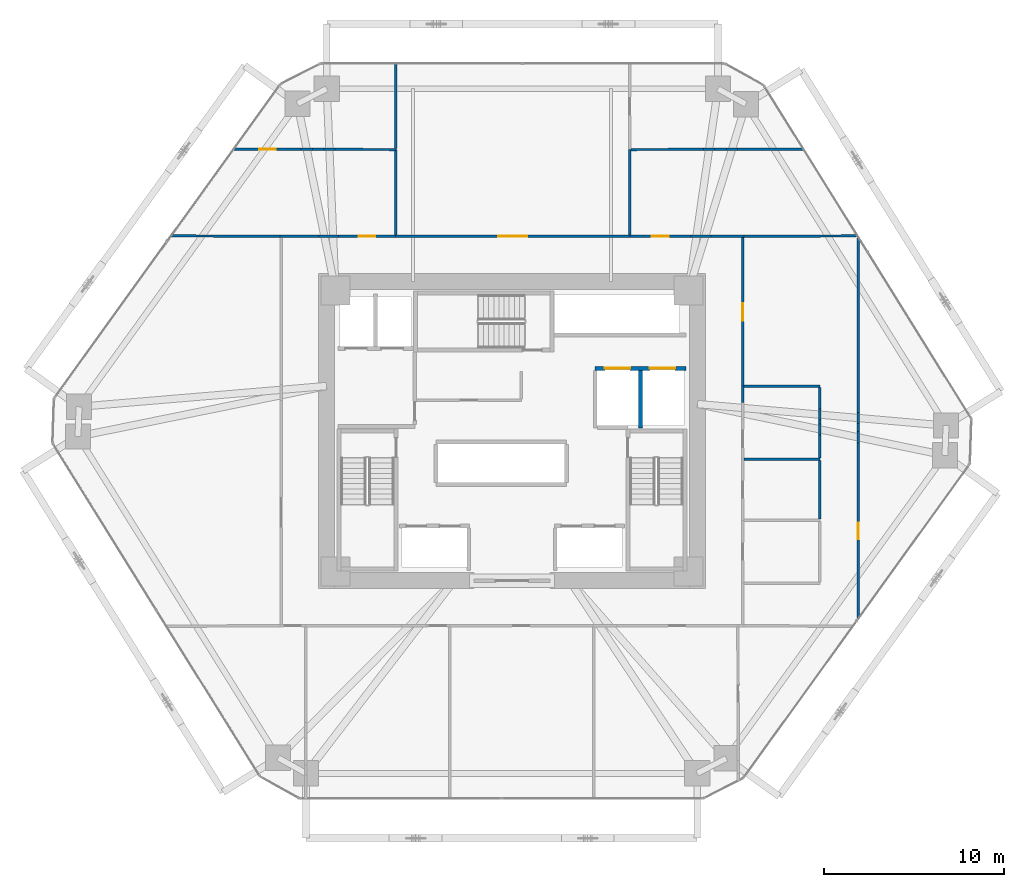
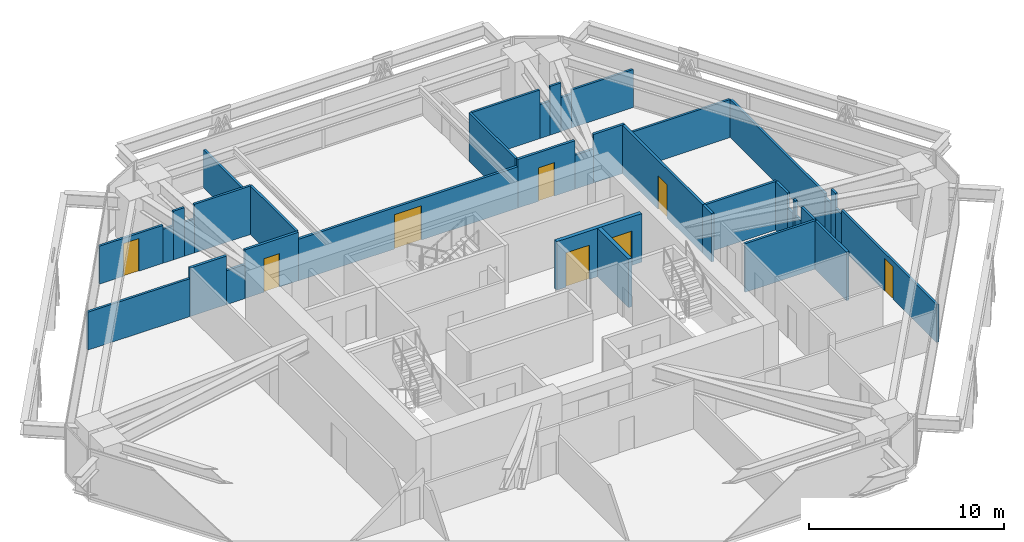
# One storey, part 15 of 17: 39 walls, 8 doors, 8 openings.
"""IFC4 building model written with IfcOpenShell, lengths in metres."""

from ifc_helpers import new_model, si_unit, direction, frame, frame_2d, origin, place, context, subcontext, project, spatial, rectangle, extrude, source, transform, mapped, material, layer, layer_set, type_object, type_shapes, element, fill, save


model = new_model("IFC4")

# Units and contexts
model_context = context("Model", 3, precision=1e-05, world=origin(), true_north=direction((0.0, 1.0)))
body_context = subcontext(model_context, "Body", "Model", "MODEL_VIEW")
ifc_project = project(units=[si_unit("LENGTHUNIT", "METRE"), si_unit("AREAUNIT", "SQUARE_METRE"), si_unit("VOLUMEUNIT", "CUBIC_METRE"), si_unit("PLANEANGLEUNIT", "RADIAN"), si_unit("MASSUNIT", "GRAM", prefix="KILO")], contexts=[model_context])

# Site, building, storey
site_placement = place(None, origin())
site = spatial("IfcSite", under=ifc_project, at=site_placement, CompositionType="ELEMENT")
building_placement = place(site_placement, origin())
building = spatial("IfcBuilding", under=site, at=building_placement, Name="Durnholm Broadcast Tower", CompositionType="ELEMENT")
storey_placement = place(building_placement, frame((0.0, 0.0, 58.800048828125)))
storey = spatial("IfcBuildingStorey", under=building, at=storey_placement, Name="L14", CompositionType="ELEMENT", Elevation=58.800048828125)

# Wall, opening, door
ifc_material_1 = material(Name="Gypsum Metal Stud Partition", Category="concrete")
ifc_layer_1 = layer(ifc_material_1, 0.135009765625)
ifc_layer_set_1 = layer_set([ifc_layer_1], Name="Gypsum Metal Stud Partition")
wall_type_1 = type_object("IfcWallType", Name="WALL-PART-135", PredefinedType="PARTITIONING", material=ifc_layer_set_1)
wall_1_placement = place(storey_placement, frame((-15.4501953125, 15.6484375, 0.0), z_axis=(0.0, 0.0, 1.0), x_axis=(0.999996606967, -0.002605005814, 0.0)))
wall_1 = element("IfcWall", 1, at=wall_1_placement, inside=storey, type_object=wall_type_1, Name="L14 room dividing partition 5.6", PredefinedType="PARTITIONING", context=body_context, shape_type="SweptSolid", body=[
    extrude(rectangle(XDim=3.748779296875, YDim=0.135009765625, at=frame_2d((1.87451171875, 0.0))), origin(), (0.0, 0.0, 1.0), 2.3798828125),
])
opening_1_placement = place(wall_1_placement, frame((1.424560546875, 0.0, 0.0)))
opening_1 = element("IfcOpeningElement", 2, at=opening_1_placement, cuts=wall_1, Name="Opening DW-90L", PredefinedType="OPENING", context=body_context, shape_type="SweptSolid", body=[
    extrude(rectangle(XDim=0.89990234375, YDim=2.050048828125, at=frame_2d((0.449951171875, 1.02490234375))), frame((0.0, 0.07763671875, 0.0), z_axis=(0.0, -1.0, 0.0), x_axis=(1.0, 0.0, 0.0)), (0.0, 0.0, 1.0), 0.155029296875),
])
ifc_material_2 = material(Name="Laminate Restroom Door", Category="steel")
ifc_layer_2 = layer(ifc_material_2, 0.050048828125)
ifc_layer_set_2 = layer_set([ifc_layer_2], Name="Laminate Restroom Door")
door_type_1 = type_object("IfcDoorType", Name="DOOR-WC-900L", OperationType="NOTDEFINED", PredefinedType="DOOR", material=ifc_layer_set_2)
shared_shape_1 = source(origin(), body_context, "Body", "SweptSolid", [
    extrude(rectangle(XDim=0.89990234375, YDim=2.050048828125, at=frame_2d((0.449951171875, 1.02490234375))), frame((0.0, 0.02490234375, 0.0), z_axis=(0.0, -1.0, 0.0), x_axis=(1.0, 0.0, 0.0)), (0.0, 0.0, 1.0), 0.050048828125),
])
type_shapes(door_type_1, [shared_shape_1])
door_1_placement = place(opening_1_placement, origin())
door_1 = element("IfcDoor", 3, at=door_1_placement, inside=storey, type_object=door_type_1, Name="L14 Open Plan Broadcast Workspace 3 connecting door", OperationType="SINGLE_SWING_LEFT", OverallHeight=2.050048828125, OverallWidth=0.89990234375, PredefinedType="DOOR", context=body_context, shape_type="MappedRepresentation", body=[
    mapped(shared_shape_1, transform((0.0, 0.0, 0.0), x_axis=(1.0, 0.0, 0.0), y_axis=(0.0, 1.0, 0.0), z_axis=(0.0, 0.0, 1.0), scale=1.0)),
])
fill(opening_1, door_1)

# Walls
wall_2_placement = place(storey_placement, frame((-11.084716796875, 15.636962890625, 0.0), z_axis=(0.0, 0.0, 1.0), x_axis=(0.999997419321, -0.002271860854, 0.0)))
element("IfcWall", 4, at=wall_2_placement, inside=storey, type_object=wall_type_1, Name="L14 room dividing partition 5.6", PredefinedType="PARTITIONING", context=body_context, shape_type="SweptSolid", body=[
    extrude(rectangle(XDim=0.644775390625, YDim=0.135009765625, at=frame_2d((0.322265625, 0.0))), origin(), (0.0, 0.0, 1.0), 3.044921875),
])
wall_3_placement = place(storey_placement, frame((-9.83544921875, 15.6337890625, 0.0), z_axis=(0.0, 0.0, 1.0), x_axis=(0.999996610156, -0.002603781135, 0.0)))
element("IfcWall", 5, at=wall_3_placement, inside=storey, type_object=wall_type_1, Name="L14 room dividing partition 5.6", PredefinedType="PARTITIONING", context=body_context, shape_type="SweptSolid", body=[
    extrude(rectangle(XDim=3.37548828125, YDim=0.135009765625, at=frame_2d((1.687744140625, 0.0))), origin(), (0.0, 0.0, 1.0), 3.044921875),
])
wall_4_placement = place(storey_placement, frame((-11.701416015625, 15.638671875, 0.0), z_axis=(0.0, 0.0, 1.0), x_axis=(0.999996160304, -0.00277116909, 0.0)))
element("IfcWall", 6, at=wall_4_placement, inside=storey, type_object=wall_type_1, Name="L14 room dividing partition 5.6", PredefinedType="PARTITIONING", context=body_context, shape_type="SweptSolid", body=[
    extrude(rectangle(XDim=0.61669921875, YDim=0.135009765625, at=frame_2d((0.308349609375, 0.0))), origin(), (0.0, 0.0, 1.0), 2.130126953125),
])
wall_5_placement = place(storey_placement, frame((-10.43994140625, 15.635498046875, 0.0), z_axis=(0.0, 0.0, 1.0), x_axis=(0.999996003662, -0.002827129251, 0.0)))
element("IfcWall", 7, at=wall_5_placement, inside=storey, type_object=wall_type_1, Name="L14 room dividing partition 5.6", PredefinedType="PARTITIONING", context=body_context, shape_type="SweptSolid", body=[
    extrude(rectangle(XDim=0.6044921875, YDim=0.135009765625, at=frame_2d((0.30224609375, 0.0))), origin(), (0.0, 0.0, 1.0), 2.130126953125),
])
wall_6_placement = place(storey_placement, frame((-6.4599609375, 15.625, 0.0), z_axis=(0.0, 0.0, 1.0), x_axis=(0.0, -1.0, 0.0)))
element("IfcWall", 8, at=wall_6_placement, inside=storey, type_object=wall_type_1, Name="L14 room dividing partition 5.7", PredefinedType="PARTITIONING", context=body_context, shape_type="SweptSolid", body=[
    extrude(rectangle(XDim=4.736083984375, YDim=0.135009765625, at=frame_2d((2.3681640625, 0.0))), origin(), (0.0, 0.0, 1.0), 3.044921875),
])
wall_7_placement = place(storey_placement, frame((-12.889892578125, 10.810302734375, 0.0), z_axis=(0.0, 0.0, 1.0), x_axis=(-0.999992607823, 0.003845035728, 0.0)))
element("IfcWall", 9, at=wall_7_placement, inside=storey, type_object=wall_type_1, Name="L14 room dividing partition 5.15", PredefinedType="PARTITIONING", context=body_context, shape_type="SweptSolid", body=[
    extrude(rectangle(XDim=6.031982421875, YDim=0.135009765625, at=frame_2d((3.01611328125, 0.0))), origin(), (0.0, 0.0, 1.0), 2.3798828125),
])
wall_8_placement = place(storey_placement, frame((-6.4599609375, 20.39990234375, 0.0), z_axis=(0.0, 0.0, 1.0), x_axis=(0.0, -1.0, 0.0)))
element("IfcWall", 10, at=wall_8_placement, inside=storey, type_object=wall_type_1, Name="L14 room dividing partition 6.7", PredefinedType="PARTITIONING", context=body_context, shape_type="SweptSolid", body=[
    extrude(rectangle(XDim=4.703369140625, YDim=0.135009765625, at=frame_2d((2.3515625, 0.0))), origin(), (0.0, 0.0, 1.0), 2.3798828125),
])
wall_9_placement = place(storey_placement, frame((6.5400390625, 15.625, 0.0), z_axis=(0.0, 0.0, 1.0), x_axis=(0.0, -1.0, 0.0)))
element("IfcWall", 11, at=wall_9_placement, inside=storey, type_object=wall_type_1, Name="L14 room dividing partition 7.8", PredefinedType="PARTITIONING", context=body_context, shape_type="SweptSolid", body=[
    extrude(rectangle(XDim=4.736083984375, YDim=0.135009765625, at=frame_2d((2.3681640625, 0.0))), origin(), (0.0, 0.0, 1.0), 3.044921875),
])
wall_10_placement = place(storey_placement, frame((6.611572265625, 15.625244140625, 0.0), z_axis=(0.0, 0.0, 1.0), x_axis=(0.999997614931, 0.002184063225, 0.0)))
element("IfcWall", 12, at=wall_10_placement, inside=storey, type_object=wall_type_1, Name="L14 room dividing partition 8.9", PredefinedType="PARTITIONING", context=body_context, shape_type="SweptSolid", body=[
    extrude(rectangle(XDim=4.024169921875, YDim=0.135009765625, at=frame_2d((2.01220703125, 0.0))), origin(), (0.0, 0.0, 1.0), 3.044921875),
])
wall_11_placement = place(storey_placement, frame((11.246337890625, 15.635498046875, 0.0), z_axis=(0.0, 0.0, 1.0), x_axis=(0.999998237348, 0.001877578365, 0.0)))
element("IfcWall", 13, at=wall_11_placement, inside=storey, type_object=wall_type_1, Name="L14 room dividing partition 8.9", PredefinedType="PARTITIONING", context=body_context, shape_type="SweptSolid", body=[
    extrude(rectangle(XDim=0.650146484375, YDim=0.135009765625, at=frame_2d((0.3251953125, 0.0))), origin(), (0.0, 0.0, 1.0), 3.044921875),
])
wall_12_placement = place(storey_placement, frame((12.529052734375, 15.63818359375, 0.0), z_axis=(0.0, 0.0, 1.0), x_axis=(0.999997715323, 0.002137603667, 0.0)))
element("IfcWall", 14, at=wall_12_placement, inside=storey, type_object=wall_type_1, Name="L14 room dividing partition 8.9", PredefinedType="PARTITIONING", context=body_context, shape_type="SweptSolid", body=[
    extrude(rectangle(XDim=3.65478515625, YDim=0.135009765625, at=frame_2d((1.827392578125, 0.0))), origin(), (0.0, 0.0, 1.0), 2.3798828125),
])
wall_13_placement = place(storey_placement, frame((10.6357421875, 15.634033203125, 0.0), z_axis=(0.0, 0.0, 1.0), x_axis=(0.999997122315, 0.00239903348, 0.0)))
element("IfcWall", 15, at=wall_13_placement, inside=storey, type_object=wall_type_1, Name="L14 room dividing partition 8.9", PredefinedType="PARTITIONING", context=body_context, shape_type="SweptSolid", body=[
    extrude(rectangle(XDim=0.610595703125, YDim=0.135009765625, at=frame_2d((0.30517578125, 0.0))), origin(), (0.0, 0.0, 1.0), 2.130126953125),
])
wall_14_placement = place(storey_placement, frame((11.896484375, 15.63671875, 0.0), z_axis=(0.0, 0.0, 1.0), x_axis=(0.999997318759, 0.002315702012, 0.0)))
element("IfcWall", 16, at=wall_14_placement, inside=storey, type_object=wall_type_1, Name="L14 room dividing partition 8.9", PredefinedType="PARTITIONING", context=body_context, shape_type="SweptSolid", body=[
    extrude(rectangle(XDim=0.632568359375, YDim=0.135009765625, at=frame_2d((0.31640625, 0.0))), origin(), (0.0, 0.0, 1.0), 2.130126953125),
])
wall_15_placement = place(storey_placement, frame((19.18212890625, 10.831298828125, 0.0), z_axis=(0.0, 0.0, 1.0), x_axis=(-0.999994432845, -0.003336806783, 0.0)))
element("IfcWall", 17, at=wall_15_placement, inside=storey, type_object=wall_type_1, Name="L14 room dividing partition 8.16", PredefinedType="PARTITIONING", context=body_context, shape_type="SweptSolid", body=[
    extrude(rectangle(XDim=6.292236328125, YDim=0.135009765625, at=frame_2d((3.14599609375, 0.0))), origin(), (0.0, 0.0, 1.0), 2.3798828125),
])
wall_16_placement = place(storey_placement, frame((19.2109375, 10.784912109375, 0.0), z_axis=(0.0, 0.0, 1.0), x_axis=(-7.5063804e-05, -0.999999997183, 0.0)))
element("IfcWall", 18, at=wall_16_placement, inside=storey, type_object=wall_type_1, Name="L14 room dividing partition 16.17", PredefinedType="PARTITIONING", context=body_context, shape_type="SweptSolid", body=[
    extrude(rectangle(XDim=9.75732421875, YDim=0.135009765625, at=frame_2d((4.878662109375, 0.0))), origin(), (0.0, 0.0, 1.0), 2.3798828125),
])
wall_17_placement = place(storey_placement, frame((19.210205078125, 0.42138671875, 0.0), z_axis=(0.0, 0.0, 1.0), x_axis=(0.0, -1.0, 0.0)))
element("IfcWall", 19, at=wall_17_placement, inside=storey, type_object=wall_type_1, Name="L14 room dividing partition 16.17", PredefinedType="PARTITIONING", context=body_context, shape_type="SweptSolid", body=[
    extrude(rectangle(XDim=0.460205078125, YDim=0.135009765625, at=frame_2d((0.22998046875, 0.0))), origin(), (0.0, 0.0, 1.0), 3.044921875),
])

# Wall, opening, door
wall_18_placement = place(storey_placement, frame((19.210205078125, -0.655517578125, 0.0), z_axis=(0.0, 0.0, 1.0), x_axis=(-7.4898886e-05, -0.999999997195, 0.0)))
wall_18 = element("IfcWall", 20, at=wall_18_placement, inside=storey, type_object=wall_type_1, Name="L14 room dividing partition 16.17", PredefinedType="PARTITIONING", context=body_context, shape_type="SweptSolid", body=[
    extrude(rectangle(XDim=9.77880859375, YDim=0.135009765625, at=frame_2d((4.889404296875, 0.0))), origin(), (0.0, 0.0, 1.0), 2.3798828125),
])
opening_2_placement = place(wall_18_placement, frame((4.439453125, 0.0, 0.0)))
opening_2 = element("IfcOpeningElement", 21, at=opening_2_placement, cuts=wall_18, Name="Opening DW-90L", PredefinedType="OPENING", context=body_context, shape_type="SweptSolid", body=[
    extrude(rectangle(XDim=0.89990234375, YDim=2.050048828125, at=frame_2d((0.449951171875, 1.02490234375))), frame((0.0, 0.07763671875, 0.0), z_axis=(0.0, -1.0, 0.0), x_axis=(1.0, 0.0, 0.0)), (0.0, 0.0, 1.0), 0.155029296875),
])
door_2_placement = place(opening_2_placement, origin())
door_2 = element("IfcDoor", 22, at=door_2_placement, inside=storey, type_object=door_type_1, Name="L14 Broadcast Kitchen connecting door", OperationType="SINGLE_SWING_LEFT", OverallHeight=2.050048828125, OverallWidth=0.89990234375, PredefinedType="DOOR", context=body_context, shape_type="MappedRepresentation", body=[
    mapped(shared_shape_1, transform((0.0, 0.0, 0.0), x_axis=(1.0, 0.0, 0.0), y_axis=(0.0, 1.0, 0.0), z_axis=(0.0, 0.0, 1.0), scale=1.0)),
])
fill(opening_2, door_2)

# Walls
wall_19_placement = place(storey_placement, frame((19.210205078125, 1.027587890625, 0.0), z_axis=(0.0, 0.0, 1.0), x_axis=(0.0, -1.0, 0.0)))
element("IfcWall", 23, at=wall_19_placement, inside=storey, type_object=wall_type_1, Name="L14 room dividing partition 16.17", PredefinedType="PARTITIONING", context=body_context, shape_type="SweptSolid", body=[
    extrude(rectangle(XDim=0.606201171875, YDim=0.135009765625, at=frame_2d((0.30322265625, 0.0))), origin(), (0.0, 0.0, 1.0), 2.130126953125),
])
wall_20_placement = place(storey_placement, frame((19.210205078125, -0.038818359375, 0.0), z_axis=(0.0, 0.0, 1.0), x_axis=(0.0, -1.0, 0.0)))
element("IfcWall", 24, at=wall_20_placement, inside=storey, type_object=wall_type_1, Name="L14 room dividing partition 16.17", PredefinedType="PARTITIONING", context=body_context, shape_type="SweptSolid", body=[
    extrude(rectangle(XDim=0.61669921875, YDim=0.135009765625, at=frame_2d((0.308349609375, 0.0))), origin(), (0.0, 0.0, 1.0), 2.130126953125),
])

# Wall, opening, door
ifc_material_3 = material(Name="Acoustic Gypsum Stud Partition", Category="concrete")
ifc_layer_3 = layer(ifc_material_3, 0.14990234375)
ifc_layer_set_3 = layer_set([ifc_layer_3], Name="Acoustic Gypsum Stud Partition")
wall_type_2 = type_object("IfcWallType", Name="WALL-PART-150", PredefinedType="PARTITIONING", material=ifc_layer_set_3)
wall_21_placement = place(storey_placement, frame((-6.4599609375, 10.81005859375, 0.0), z_axis=(0.0, 0.0, 1.0), x_axis=(-1.0, 0.0, 0.0)))
wall_21 = element("IfcWall", 25, at=wall_21_placement, inside=storey, type_object=wall_type_2, Name="L14 Weather Seminar Meeting Room corridor partition", PredefinedType="PARTITIONING", context=body_context, shape_type="SweptSolid", body=[
    extrude(rectangle(XDim=3.16748046875, YDim=0.14990234375, at=frame_2d((1.583740234375, 0.0))), origin(), (0.0, 0.0, 1.0), 3.044921875),
])
opening_3_placement = place(wall_21_placement, frame((1.123779296875, 0.0, 0.0)))
opening_3 = element("IfcOpeningElement", 26, at=opening_3_placement, cuts=wall_21, Name="Opening DR-92R", PredefinedType="OPENING", context=body_context, shape_type="SweptSolid", body=[
    extrude(rectangle(XDim=0.919921875, YDim=2.10009765625, at=frame_2d((0.4599609375, 1.050048828125))), frame((0.0, 0.0849609375, 0.0), z_axis=(0.0, -1.0, 0.0), x_axis=(1.0, 0.0, 0.0)), (0.0, 0.0, 1.0), 0.169921875),
])
ifc_material_4 = material(Name="Oak Veneer Office Door", Category="wood")
ifc_layer_4 = layer(ifc_material_4, 0.050048828125)
ifc_layer_set_4 = layer_set([ifc_layer_4], Name="Oak Veneer Office Door")
door_type_2 = type_object("IfcDoorType", Name="DOOR-RM-920R", OperationType="NOTDEFINED", PredefinedType="DOOR", material=ifc_layer_set_4)
shared_shape_2 = source(origin(), body_context, "Body", "SweptSolid", [
    extrude(rectangle(XDim=0.919921875, YDim=2.10009765625, at=frame_2d((0.4599609375, 1.050048828125))), frame((0.0, 0.02490234375, 0.0), z_axis=(0.0, -1.0, 0.0), x_axis=(1.0, 0.0, 0.0)), (0.0, 0.0, 1.0), 0.050048828125),
])
type_shapes(door_type_2, [shared_shape_2])
door_3_placement = place(opening_3_placement, origin())
door_3 = element("IfcDoor", 27, at=door_3_placement, inside=storey, type_object=door_type_2, Name="L14 Weather Seminar Meeting Room entrance door", OperationType="SINGLE_SWING_RIGHT", OverallHeight=2.10009765625, OverallWidth=0.919921875, PredefinedType="DOOR", context=body_context, shape_type="MappedRepresentation", body=[
    mapped(shared_shape_2, transform((0.0, 0.0, 0.0), x_axis=(1.0, 0.0, 0.0), y_axis=(0.0, 1.0, 0.0), z_axis=(0.0, 0.0, 1.0), scale=1.0)),
])
fill(opening_3, door_3)

# Walls
wall_22_placement = place(storey_placement, frame((-10.719970703125, 10.81005859375, 0.0), z_axis=(0.0, 0.0, 1.0), x_axis=(-1.0, 0.0, 0.0)))
element("IfcWall", 28, at=wall_22_placement, inside=storey, type_object=wall_type_2, Name="L14 Weather Seminar Meeting Room corridor partition", PredefinedType="PARTITIONING", context=body_context, shape_type="SweptSolid", body=[
    extrude(rectangle(XDim=2.169921875, YDim=0.14990234375, at=frame_2d((1.0849609375, 0.0))), origin(), (0.0, 0.0, 1.0), 3.044921875),
])
wall_23_placement = place(storey_placement, frame((-9.62744140625, 10.81005859375, 0.0), z_axis=(0.0, 0.0, 1.0), x_axis=(-1.0, 0.0, 0.0)))
element("IfcWall", 29, at=wall_23_placement, inside=storey, type_object=wall_type_2, Name="L14 Weather Seminar Meeting Room corridor partition", PredefinedType="PARTITIONING", context=body_context, shape_type="SweptSolid", body=[
    extrude(rectangle(XDim=1.092529296875, YDim=0.14990234375, at=frame_2d((0.54638671875, 0.0))), origin(), (0.0, 0.0, 1.0), 2.130126953125),
])

# Wall, opening, door
wall_24_placement = place(storey_placement, frame((6.5400390625, 10.81005859375, 0.0), z_axis=(0.0, 0.0, 1.0), x_axis=(-1.0, 0.0, 0.0)))
wall_24 = element("IfcWall", 30, at=wall_24_placement, inside=storey, type_object=wall_type_2, Name="L14 Documentary Screening Hall corridor partition", PredefinedType="PARTITIONING", context=body_context, shape_type="SweptSolid", body=[
    extrude(rectangle(XDim=13.0, YDim=0.14990234375, at=frame_2d((6.5, 0.0))), origin(), (0.0, 0.0, 1.0), 2.59765625),
])
opening_4_placement = place(wall_24_placement, frame((5.699951171875, 0.0, 0.0)))
opening_4 = element("IfcOpeningElement", 31, at=opening_4_placement, cuts=wall_24, Name="Opening DST-160", PredefinedType="OPENING", context=body_context, shape_type="SweptSolid", body=[
    extrude(rectangle(XDim=1.60009765625, YDim=2.14990234375, at=frame_2d((0.800048828125, 1.074951171875))), frame((0.0, 0.0849609375, 0.0), z_axis=(0.0, -1.0, 0.0), x_axis=(1.0, 0.0, 0.0)), (0.0, 0.0, 1.0), 0.169921875),
])
ifc_material_5 = material(Name="Acoustic Broadcast Studio Sound-Lock Door", Category="steel")
ifc_layer_5 = layer(ifc_material_5, 0.050048828125)
ifc_layer_set_5 = layer_set([ifc_layer_5], Name="Acoustic Broadcast Studio Sound-Lock Door")
door_type_3 = type_object("IfcDoorType", Name="DOOR-STU-1600", OperationType="DOUBLE_DOOR_SINGLE_SWING", PredefinedType="DOOR", material=ifc_layer_set_5)
shared_shape_3 = source(origin(), body_context, "Body", "SweptSolid", [
    extrude(rectangle(XDim=1.60009765625, YDim=2.14990234375, at=frame_2d((0.800048828125, 1.074951171875))), frame((0.0, 0.02490234375, 0.0), z_axis=(0.0, -1.0, 0.0), x_axis=(1.0, 0.0, 0.0)), (0.0, 0.0, 1.0), 0.050048828125),
])
type_shapes(door_type_3, [shared_shape_3])
door_4_placement = place(opening_4_placement, origin())
door_4 = element("IfcDoor", 32, at=door_4_placement, inside=storey, type_object=door_type_3, Name="L14 Documentary Screening Hall entrance door", OperationType="DOUBLE_DOOR_SINGLE_SWING", OverallHeight=2.14990234375, OverallWidth=1.60009765625, PredefinedType="DOOR", context=body_context, shape_type="MappedRepresentation", body=[
    mapped(shared_shape_3, transform((0.0, 0.0, 0.0), x_axis=(1.0, 0.0, 0.0), y_axis=(0.0, 1.0, 0.0), z_axis=(0.0, 0.0, 1.0), scale=1.0)),
])
fill(opening_4, door_4)

# Wall
wall_25_placement = place(storey_placement, frame((12.889892578125, 10.81005859375, 0.0), z_axis=(0.0, 0.0, 1.0), x_axis=(-1.0, 0.0, 0.0)))
element("IfcWall", 33, at=wall_25_placement, inside=storey, type_object=wall_type_2, Name="L14 Sound Review Lounge corridor partition", PredefinedType="PARTITIONING", context=body_context, shape_type="SweptSolid", body=[
    extrude(rectangle(XDim=1.847412109375, YDim=0.14990234375, at=frame_2d((0.923828125, 0.0))), origin(), (0.0, 0.0, 1.0), 3.044921875),
])

# Wall, opening, door
wall_26_placement = place(storey_placement, frame((9.93310546875, 10.81005859375, 0.0), z_axis=(0.0, 0.0, 1.0), x_axis=(-1.0, 0.0, 0.0)))
wall_26 = element("IfcWall", 34, at=wall_26_placement, inside=storey, type_object=wall_type_2, Name="L14 Sound Review Lounge corridor partition", PredefinedType="PARTITIONING", context=body_context, shape_type="SweptSolid", body=[
    extrude(rectangle(XDim=3.39306640625, YDim=0.14990234375, at=frame_2d((1.696533203125, 0.0))), origin(), (0.0, 0.0, 1.0), 3.044921875),
])
opening_5_placement = place(wall_26_placement, frame((1.2216796875, 0.0, 0.0)))
opening_5 = element("IfcOpeningElement", 35, at=opening_5_placement, cuts=wall_26, Name="Opening DR-95R", PredefinedType="OPENING", context=body_context, shape_type="SweptSolid", body=[
    extrude(rectangle(XDim=0.949951171875, YDim=2.10009765625, at=frame_2d((0.47509765625, 1.050048828125))), frame((0.0, 0.0849609375, 0.0), z_axis=(0.0, -1.0, 0.0), x_axis=(1.0, 0.0, 0.0)), (0.0, 0.0, 1.0), 0.169921875),
])
ifc_material_6 = material(Name="Acoustic Oak Veneer Timber Door", Category="wood")
ifc_layer_6 = layer(ifc_material_6, 0.050048828125)
ifc_layer_set_6 = layer_set([ifc_layer_6], Name="Acoustic Oak Veneer Timber Door")
door_type_4 = type_object("IfcDoorType", Name="DOOR-RM-950R", OperationType="NOTDEFINED", PredefinedType="DOOR", material=ifc_layer_set_6)
shared_shape_4 = source(origin(), body_context, "Body", "SweptSolid", [
    extrude(rectangle(XDim=0.949951171875, YDim=2.10009765625, at=frame_2d((0.47509765625, 1.050048828125))), frame((0.0, 0.02490234375, 0.0), z_axis=(0.0, -1.0, 0.0), x_axis=(1.0, 0.0, 0.0)), (0.0, 0.0, 1.0), 0.050048828125),
])
type_shapes(door_type_4, [shared_shape_4])
door_5_placement = place(opening_5_placement, origin())
door_5 = element("IfcDoor", 36, at=door_5_placement, inside=storey, type_object=door_type_4, Name="L14 Sound Review Lounge entrance door", OperationType="SINGLE_SWING_RIGHT", OverallHeight=2.10009765625, OverallWidth=0.949951171875, PredefinedType="DOOR", context=body_context, shape_type="MappedRepresentation", body=[
    mapped(shared_shape_4, transform((0.0, 0.0, 0.0), x_axis=(1.0, 0.0, 0.0), y_axis=(0.0, 1.0, 0.0), z_axis=(0.0, 0.0, 1.0), scale=1.0)),
])
fill(opening_5, door_5)

# Wall
wall_27_placement = place(storey_placement, frame((11.04248046875, 10.81005859375, 0.0), z_axis=(0.0, 0.0, 1.0), x_axis=(-1.0, 0.0, 0.0)))
element("IfcWall", 37, at=wall_27_placement, inside=storey, type_object=wall_type_2, Name="L14 Sound Review Lounge corridor partition", PredefinedType="PARTITIONING", context=body_context, shape_type="SweptSolid", body=[
    extrude(rectangle(XDim=1.109375, YDim=0.14990234375, at=frame_2d((0.5546875, 0.0))), origin(), (0.0, 0.0, 1.0), 2.130126953125),
])

# Wall, opening, door
wall_28_placement = place(storey_placement, frame((12.81005859375, 2.489990234375, 0.0), z_axis=(0.0, 0.0, 1.0), x_axis=(0.0, 1.0, 0.0)))
wall_28 = element("IfcWall", 38, at=wall_28_placement, inside=storey, type_object=wall_type_2, Name="L14 Sound Review Lounge corridor partition", PredefinedType="PARTITIONING", context=body_context, shape_type="SweptSolid", body=[
    extrude(rectangle(XDim=8.240966796875, YDim=0.14990234375, at=frame_2d((4.12060546875, 0.0))), origin(), (0.0, 0.0, 1.0), 3.044921875),
])
opening_6_placement = place(wall_28_placement, frame((3.6455078125, 0.0, 0.0)))
opening_6 = element("IfcOpeningElement", 39, at=opening_6_placement, cuts=wall_28, Name="Opening DR-95L", PredefinedType="OPENING", context=body_context, shape_type="SweptSolid", body=[
    extrude(rectangle(XDim=0.949951171875, YDim=2.10009765625, at=frame_2d((0.47509765625, 1.050048828125))), frame((0.0, 0.0849609375, 0.0), z_axis=(0.0, -1.0, 0.0), x_axis=(1.0, 0.0, 0.0)), (0.0, 0.0, 1.0), 0.169921875),
])
ifc_layer_7 = layer(ifc_material_6, 0.050048828125)
ifc_layer_set_7 = layer_set([ifc_layer_7], Name="Acoustic Oak Veneer Timber Door")
door_type_5 = type_object("IfcDoorType", Name="DOOR-RM-950L", OperationType="NOTDEFINED", PredefinedType="DOOR", material=ifc_layer_set_7)
shared_shape_5 = source(origin(), body_context, "Body", "SweptSolid", [
    extrude(rectangle(XDim=0.949951171875, YDim=2.10009765625, at=frame_2d((0.47509765625, 1.050048828125))), frame((0.0, 0.02490234375, 0.0), z_axis=(0.0, -1.0, 0.0), x_axis=(1.0, 0.0, 0.0)), (0.0, 0.0, 1.0), 0.050048828125),
])
type_shapes(door_type_5, [shared_shape_5])
door_6_placement = place(opening_6_placement, origin())
door_6 = element("IfcDoor", 40, at=door_6_placement, inside=storey, type_object=door_type_5, Name="L14 Sound Review Lounge entrance door", OperationType="SINGLE_SWING_LEFT", OverallHeight=2.10009765625, OverallWidth=0.949951171875, PredefinedType="DOOR", context=body_context, shape_type="MappedRepresentation", body=[
    mapped(shared_shape_5, transform((0.0, 0.0, 0.0), x_axis=(1.0, 0.0, 0.0), y_axis=(0.0, 1.0, 0.0), z_axis=(0.0, 0.0, 1.0), scale=1.0)),
])
fill(opening_6, door_6)

# Wall, openings, doors
ifc_material_7 = material(Name="Concrete Blockwork C30/37", Category="masonry")
ifc_layer_8 = layer(ifc_material_7, 0.219970703125)
ifc_layer_set_8 = layer_set([ifc_layer_8], Name="Concrete Blockwork C30/37")
wall_type_3 = type_object("IfcWallType", Name="WALL-SHAFT-220", PredefinedType="SOLIDWALL", material=ifc_layer_set_8)
wall_29_placement = place(storey_placement, frame((4.60009765625, 3.47998046875, 0.0), z_axis=(0.0, 0.0, 1.0), x_axis=(1.0, 0.0, 0.0)))
wall_29 = element("IfcWall", 41, at=wall_29_placement, inside=storey, type_object=wall_type_3, Name="L14 freight service lifts north front wall", PredefinedType="SOLIDWALL", context=body_context, shape_type="SweptSolid", body=[
    extrude(rectangle(XDim=5.0498046875, YDim=0.219970703125, at=frame_2d((2.52490234375, 0.0))), origin(), (0.0, 0.0, 1.0), 3.044921875),
])
opening_7_placement = place(wall_29_placement, frame((0.550048828125, 0.0, 0.0)))
opening_7 = element("IfcOpeningElement", 42, at=opening_7_placement, cuts=wall_29, Name="Opening LD-SVL-2", PredefinedType="OPENING", context=body_context, shape_type="SweptSolid", body=[
    extrude(rectangle(XDim=1.39990234375, YDim=2.14990234375, at=frame_2d((0.699951171875, 1.074951171875))), frame((0.0, 0.1201171875, 0.0), z_axis=(0.0, -1.0, 0.0), x_axis=(1.0, 0.0, 0.0)), (0.0, 0.0, 1.0), 0.239990234375),
])
opening_8_placement = place(wall_29_placement, frame((3.050048828125, 0.0, 0.0)))
opening_8 = element("IfcOpeningElement", 43, at=opening_8_placement, cuts=wall_29, Name="Opening LD-SVL-1", PredefinedType="OPENING", context=body_context, shape_type="SweptSolid", body=[
    extrude(rectangle(XDim=1.39990234375, YDim=2.14990234375, at=frame_2d((0.699951171875, 1.074951171875))), frame((0.0, 0.1201171875, 0.0), z_axis=(0.0, -1.0, 0.0), x_axis=(1.0, 0.0, 0.0)), (0.0, 0.0, 1.0), 0.239990234375),
])
ifc_material_8 = material(Name="Freight Elevator Bi-Parting Sliding Landing Door", Category="steel")
ifc_layer_9 = layer(ifc_material_8, 0.050048828125)
ifc_layer_set_9 = layer_set([ifc_layer_9], Name="Freight Elevator Bi-Parting Sliding Landing Door")
door_type_6 = type_object("IfcDoorType", Name="DOOR-LIFT-SVL", OperationType="DOUBLE_DOOR_SLIDING", PredefinedType="DOOR", material=ifc_layer_set_9)
shared_shape_6 = source(origin(), body_context, "Body", "SweptSolid", [
    extrude(rectangle(XDim=1.39990234375, YDim=2.14990234375, at=frame_2d((0.699951171875, 1.074951171875))), frame((0.0, 0.02490234375, 0.0), z_axis=(0.0, -1.0, 0.0), x_axis=(1.0, 0.0, 0.0)), (0.0, 0.0, 1.0), 0.050048828125),
])
type_shapes(door_type_6, [shared_shape_6])
door_7_placement = place(opening_7_placement, origin())
door_7 = element("IfcDoor", 44, at=door_7_placement, inside=storey, type_object=door_type_6, Name="L14 freight service elevator SVL-2 sliding landing door", OperationType="DOUBLE_DOOR_SLIDING", OverallHeight=2.14990234375, OverallWidth=1.39990234375, PredefinedType="DOOR", context=body_context, shape_type="MappedRepresentation", body=[
    mapped(shared_shape_6, transform((0.0, 0.0, 0.0), x_axis=(1.0, 0.0, 0.0), y_axis=(0.0, 1.0, 0.0), z_axis=(0.0, 0.0, 1.0), scale=1.0)),
])
fill(opening_7, door_7)
door_8_placement = place(opening_8_placement, origin())
door_8 = element("IfcDoor", 45, at=door_8_placement, inside=storey, type_object=door_type_6, Name="L14 freight service elevator SVL-1 sliding landing door", OperationType="DOUBLE_DOOR_SLIDING", OverallHeight=2.14990234375, OverallWidth=1.39990234375, PredefinedType="DOOR", context=body_context, shape_type="MappedRepresentation", body=[
    mapped(shared_shape_6, transform((0.0, 0.0, 0.0), x_axis=(1.0, 0.0, 0.0), y_axis=(0.0, 1.0, 0.0), z_axis=(0.0, 0.0, 1.0), scale=1.0)),
])
fill(opening_8, door_8)

# Walls
wall_30_placement = place(storey_placement, frame((7.1201171875, 0.179931640625, 0.0), z_axis=(0.0, 0.0, 1.0), x_axis=(0.0, 1.0, 0.0)))
element("IfcWall", 46, at=wall_30_placement, inside=storey, type_object=wall_type_3, Name="L14 freight service lifts divider wall", PredefinedType="SOLIDWALL", context=body_context, shape_type="SweptSolid", body=[
    extrude(rectangle(XDim=3.18603515625, YDim=0.219970703125, at=frame_2d((1.593017578125, 0.0))), origin(), (0.0, 0.0, 1.0), 3.044921875),
])
ifc_material_9 = material(Name="Moisture-Resistant Tile Partition", Category="concrete")
ifc_layer_10 = layer(ifc_material_9, 0.139892578125)
ifc_layer_set_10 = layer_set([ifc_layer_10], Name="Moisture-Resistant Tile Partition")
wall_type_4 = type_object("IfcWallType", Name="WALL-WC-140", PredefinedType="PARTITIONING", material=ifc_layer_set_10)
wall_31_placement = place(storey_placement, frame((12.81005859375, 1.584716796875, 0.0), z_axis=(0.0, 0.0, 1.0), x_axis=(0.0, 1.0, 0.0)))
element("IfcWall", 47, at=wall_31_placement, inside=storey, type_object=wall_type_4, Name="L14 Accessible Restroom corridor partition", PredefinedType="PARTITIONING", context=body_context, shape_type="SweptSolid", body=[
    extrude(rectangle(XDim=0.9052734375, YDim=0.139892578125, at=frame_2d((0.45263671875, 0.0))), origin(), (0.0, 0.0, 1.0), 3.044921875),
])
wall_32_placement = place(storey_placement, frame((12.884033203125, -1.56005859375, 0.0), z_axis=(0.0, 0.0, 1.0), x_axis=(1.0, 0.0, 0.0)))
element("IfcWall", 48, at=wall_32_placement, inside=storey, type_object=wall_type_4, Name="L14 room dividing partition 3.4", PredefinedType="PARTITIONING", context=body_context, shape_type="SweptSolid", body=[
    extrude(rectangle(XDim=4.2060546875, YDim=0.139892578125, at=frame_2d((2.10302734375, 0.0))), origin(), (0.0, 0.0, 1.0), 3.044921875),
])
wall_33_placement = place(storey_placement, frame((17.090087890625, -1.634033203125, 0.0), z_axis=(0.0, 0.0, 1.0), x_axis=(0.0, -1.0, 0.0)))
element("IfcWall", 49, at=wall_33_placement, inside=storey, type_object=wall_type_4, Name="L14 room dividing partition 3.16", PredefinedType="PARTITIONING", context=body_context, shape_type="SweptSolid", body=[
    extrude(rectangle(XDim=3.251953125, YDim=0.139892578125, at=frame_2d((1.6259765625, 0.0))), origin(), (0.0, 0.0, 1.0), 3.044921875),
])
wall_34_placement = place(storey_placement, frame((12.888916015625, 2.489990234375, 0.0), z_axis=(0.0, 0.0, 1.0), x_axis=(1.0, 0.0, 0.0)))
element("IfcWall", 50, at=wall_34_placement, inside=storey, type_object=wall_type_4, Name="L14 room dividing partition 4.16", PredefinedType="PARTITIONING", context=body_context, shape_type="SweptSolid", body=[
    extrude(rectangle(XDim=4.201171875, YDim=0.139892578125, at=frame_2d((2.1005859375, 0.0))), origin(), (0.0, 0.0, 1.0), 3.044921875),
])
wall_35_placement = place(storey_placement, frame((17.090087890625, 2.416015625, 0.0), z_axis=(0.0, 0.0, 1.0), x_axis=(0.0, -1.0, 0.0)))
element("IfcWall", 51, at=wall_35_placement, inside=storey, type_object=wall_type_4, Name="L14 room dividing partition 4.16", PredefinedType="PARTITIONING", context=body_context, shape_type="SweptSolid", body=[
    extrude(rectangle(XDim=1.203857421875, YDim=0.139892578125, at=frame_2d((0.60205078125, 0.0))), origin(), (0.0, 0.0, 1.0), 3.044921875),
])
wall_36_placement = place(storey_placement, frame((17.090087890625, 0.60595703125, 0.0), z_axis=(0.0, 0.0, 1.0), x_axis=(0.0, -1.0, 0.0)))
element("IfcWall", 52, at=wall_36_placement, inside=storey, type_object=wall_type_4, Name="L14 room dividing partition 4.16", PredefinedType="PARTITIONING", context=body_context, shape_type="SweptSolid", body=[
    extrude(rectangle(XDim=0.205078125, YDim=0.139892578125, at=frame_2d((0.1025390625, 0.0))), origin(), (0.0, 0.0, 1.0), 3.044921875),
])
wall_37_placement = place(storey_placement, frame((17.090087890625, -0.216064453125, 0.0), z_axis=(0.0, 0.0, 1.0), x_axis=(0.0, -1.0, 0.0)))
element("IfcWall", 53, at=wall_37_placement, inside=storey, type_object=wall_type_4, Name="L14 room dividing partition 4.16", PredefinedType="PARTITIONING", context=body_context, shape_type="SweptSolid", body=[
    extrude(rectangle(XDim=1.27001953125, YDim=0.139892578125, at=frame_2d((0.635009765625, 0.0))), origin(), (0.0, 0.0, 1.0), 3.044921875),
])
wall_38_placement = place(storey_placement, frame((17.090087890625, 1.212158203125, 0.0), z_axis=(0.0, 0.0, 1.0), x_axis=(0.0, -1.0, 0.0)))
element("IfcWall", 54, at=wall_38_placement, inside=storey, type_object=wall_type_4, Name="L14 room dividing partition 4.16", PredefinedType="PARTITIONING", context=body_context, shape_type="SweptSolid", body=[
    extrude(rectangle(XDim=0.606201171875, YDim=0.139892578125, at=frame_2d((0.30322265625, 0.0))), origin(), (0.0, 0.0, 1.0), 2.130126953125),
])
wall_39_placement = place(storey_placement, frame((17.090087890625, 0.40087890625, 0.0), z_axis=(0.0, 0.0, 1.0), x_axis=(0.0, -1.0, 0.0)))
element("IfcWall", 55, at=wall_39_placement, inside=storey, type_object=wall_type_4, Name="L14 room dividing partition 4.16", PredefinedType="PARTITIONING", context=body_context, shape_type="SweptSolid", body=[
    extrude(rectangle(XDim=0.616943359375, YDim=0.139892578125, at=frame_2d((0.30859375, 0.0))), origin(), (0.0, 0.0, 1.0), 2.130126953125),
])

save(model, "model.ifc")
